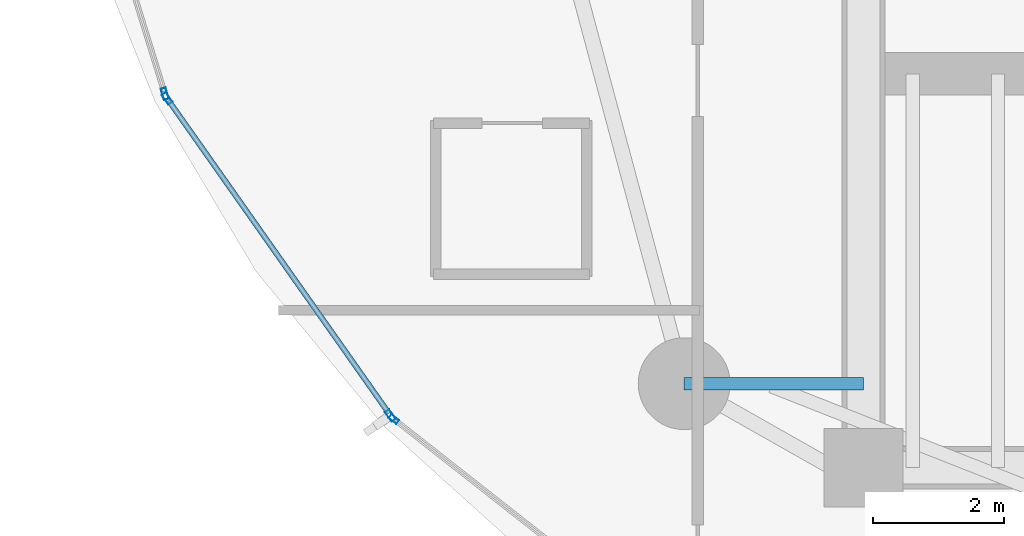
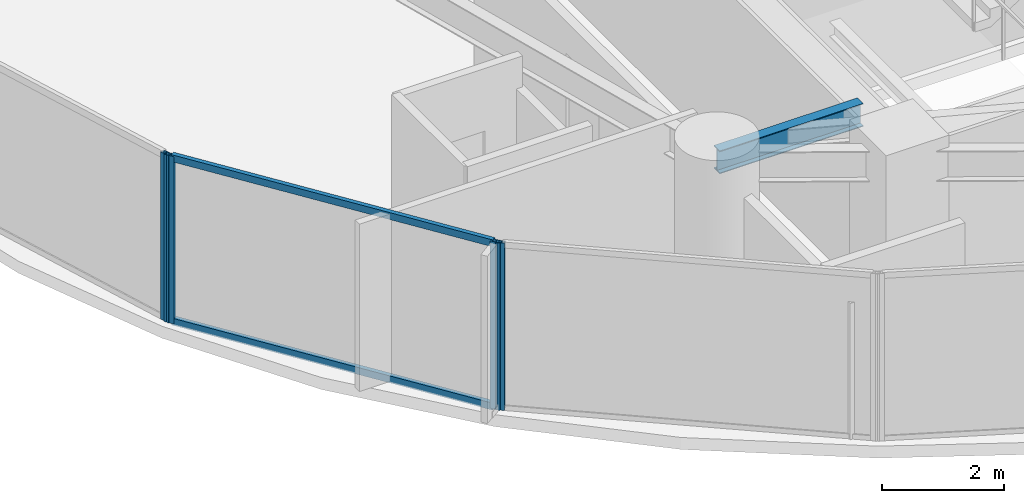
# One storey, part 3 of 33: 6 members, 1 beam, 3 elements without a shape of their own.
"""IFC4 building model written with IfcOpenShell, lengths in metres."""

from ifc_helpers import new_model, si_unit, direction, frame, origin, origin_2d, place, context, subcontext, project, spatial, hollow_rectangle, i_section, extrude, material, layer, layer_set, material_profile, profile_set, type_object, element, aggregate, save


model = new_model("IFC4")

# Units and contexts
model_context = context("Model", 3, precision=1e-05, world=origin(), true_north=direction((0.0, 1.0)))
body_context = subcontext(model_context, "Body", "Model", "MODEL_VIEW")
ifc_project = project(units=[si_unit("LENGTHUNIT", "METRE"), si_unit("AREAUNIT", "SQUARE_METRE"), si_unit("VOLUMEUNIT", "CUBIC_METRE"), si_unit("PLANEANGLEUNIT", "RADIAN"), si_unit("MASSUNIT", "GRAM", prefix="KILO")], contexts=[model_context])

# Site, building, storey
site_placement = place(None, origin())
site = spatial("IfcSite", under=ifc_project, at=site_placement, CompositionType="ELEMENT")
building_placement = place(site_placement, origin())
building = spatial("IfcBuilding", under=site, at=building_placement, Name="Kazevale Care Tower and Concert Hall", CompositionType="ELEMENT")
storey_placement = place(building_placement, frame((0.0, 0.0, 31.199951171875)))
storey = spatial("IfcBuildingStorey", under=building, at=storey_placement, Name="L07", CompositionType="ELEMENT", Elevation=31.199951171875)

# Curtain wall, members
ifc_material_1 = material(Name="Aluminium 6063-T6 and Low-E Glass", Category="aluminium")
ifc_layer_1 = layer(ifc_material_1, 0.179931640625)
ifc_layer_set_1 = layer_set([ifc_layer_1], Name="Aluminium 6063-T6 and Low-E Glass")
curtain_wall_type_1 = type_object("IfcCurtainWallType", Name="Waist & Upper Residential Curtain Wall CW-4", PredefinedType="NOTDEFINED", material=ifc_layer_set_1)
curtain_wall_1_placement = place(storey_placement, origin())
curtain_wall_1 = element("IfcCurtainWall", 1, at=curtain_wall_1_placement, inside=storey, type_object=curtain_wall_type_1, Name="cw:L07:f11", PredefinedType="NOTDEFINED")
ifc_material_2 = material(Name="Aluminium 6063-T6", Category="aluminium")
ifc_material_profile_1 = material_profile(ifc_material_2, hollow_rectangle(XDim=0.080078125, YDim=0.179931640625, WallThickness=0.0048828125, at=origin_2d()), Name="ALU80x180x5")
ifc_profile_set_1 = profile_set([ifc_material_profile_1], Name="Aluminium 6063-T6")
member_type_1 = type_object("IfcMemberType", Name="CW-4 Mullion ALU80x180x5", PredefinedType="MULLION", material=ifc_profile_set_1)
member_1_placement = place(storey_placement, frame((14.794921875, 24.396728515625, 0.0), z_axis=(0.0, 0.0, 1.0), x_axis=(-0.817564654583, -0.575836813322, 0.0)))
member_1 = element("IfcMember", 2, at=member_1_placement, type_object=member_type_1, Name="CW-4 mullion 1", PredefinedType="MULLION", context=body_context, shape_type="SweptSolid", body=[
    extrude(hollow_rectangle(XDim=0.080078125, YDim=0.179931640625, WallThickness=0.0048828125, at=origin_2d()), origin(), (0.0, 0.0, 1.0), 3.360107421875),
])
member_2_placement = place(storey_placement, frame((11.39404296875, 29.225341796875, 0.0), z_axis=(0.0, 0.0, 1.0), x_axis=(-0.817564654583, -0.575836813322, 0.0)))
member_2 = element("IfcMember", 3, at=member_2_placement, type_object=member_type_1, Name="CW-4 mullion 2", PredefinedType="MULLION", context=body_context, shape_type="SweptSolid", body=[
    extrude(hollow_rectangle(XDim=0.080078125, YDim=0.179931640625, WallThickness=0.0048828125, at=origin_2d()), origin(), (0.0, 0.0, 1.0), 3.360107421875),
])

# Curtain wall, member
curtain_wall_2_placement = place(storey_placement, origin())
curtain_wall_2 = element("IfcCurtainWall", 4, at=curtain_wall_2_placement, inside=storey, type_object=curtain_wall_type_1, Name="cw:L07:f12", PredefinedType="NOTDEFINED")
member_3_placement = place(storey_placement, frame((11.359130859375, 29.296142578125, 0.0), z_axis=(0.0, 0.0, 1.0), x_axis=(-0.955157326175, -0.296098771112, 0.0)))
member_3 = element("IfcMember", 5, at=member_3_placement, type_object=member_type_1, Name="CW-4 mullion 1", PredefinedType="MULLION", context=body_context, shape_type="SweptSolid", body=[
    extrude(hollow_rectangle(XDim=0.080078125, YDim=0.179931640625, WallThickness=0.0048828125, at=origin_2d()), origin(), (0.0, 0.0, 1.0), 3.360107421875),
])
aggregate(curtain_wall_2, [member_3])

# Member
ifc_material_profile_2 = material_profile(ifc_material_2, hollow_rectangle(XDim=0.080078125, YDim=0.139892578125, WallThickness=0.00390625, at=origin_2d()), Name="ALU80x140x4")
ifc_profile_set_2 = profile_set([ifc_material_profile_2], Name="Aluminium 6063-T6")
member_type_2 = type_object("IfcMemberType", Name="CW-4 Transom ALU80x140x4", PredefinedType="USERDEFINED", material=ifc_profile_set_2)
member_4_placement = place(storey_placement, frame((14.77197265625, 24.429443359375, 0.0400390625), z_axis=(-0.575850423039, 0.817555068657, 0.0), x_axis=(-0.817555068657, -0.575850423039, 0.0)))
member_4 = element("IfcMember", 6, at=member_4_placement, type_object=member_type_2, Name="CW-4 transom 1.1", ObjectType="TRANSOM", PredefinedType="USERDEFINED", context=body_context, shape_type="SweptSolid", body=[
    extrude(hollow_rectangle(XDim=0.080078125, YDim=0.139892578125, WallThickness=0.00390625, at=origin_2d()), origin(), (0.0, 0.0, 1.0), 5.826171875),
])

member_5_placement = place(storey_placement, frame((14.77197265625, 24.429443359375, 3.320068359375), z_axis=(-0.575850423039, 0.817555068657, 0.0), x_axis=(-0.817555068657, -0.575850423039, 0.0)))
member_5 = element("IfcMember", 7, at=member_5_placement, type_object=member_type_2, Name="CW-4 transom 1.2", ObjectType="TRANSOM", PredefinedType="USERDEFINED", context=body_context, shape_type="SweptSolid", body=[
    extrude(hollow_rectangle(XDim=0.080078125, YDim=0.139892578125, WallThickness=0.00390625, at=origin_2d()), origin(), (0.0, 0.0, 1.0), 5.826171875),
])

aggregate(curtain_wall_1, [member_1, member_2, member_4, member_5])

# Curtain wall, member
ifc_layer_2 = layer(ifc_material_1, 0.179931640625)
ifc_layer_set_2 = layer_set([ifc_layer_2], Name="Aluminium 6063-T6 and Low-E Glass")
curtain_wall_type_2 = type_object("IfcCurtainWallType", Name="Sheltered Concave Balcony Curtain Wall CW-5", PredefinedType="NOTDEFINED", material=ifc_layer_set_2)
curtain_wall_3_placement = place(storey_placement, origin())
curtain_wall_3 = element("IfcCurtainWall", 8, at=curtain_wall_3_placement, inside=storey, type_object=curtain_wall_type_2, Name="cw:L07:f10", PredefinedType="NOTDEFINED")
ifc_material_profile_3 = material_profile(ifc_material_2, hollow_rectangle(XDim=0.074951171875, YDim=0.14990234375, WallThickness=0.00390625, at=origin_2d()), Name="ALU75x150x4")
ifc_profile_set_3 = profile_set([ifc_material_profile_3], Name="Aluminium 6063-T6")
member_type_3 = type_object("IfcMemberType", Name="CW-5 Mullion ALU75x150x4", PredefinedType="MULLION", material=ifc_profile_set_3)
member_6_placement = place(storey_placement, frame((14.847412109375, 24.3408203125, 0.0), z_axis=(0.0, 0.0, 1.0), x_axis=(-0.617807548814, -0.78632934107, 0.0)))
member_6 = element("IfcMember", 9, at=member_6_placement, type_object=member_type_3, Name="CW-5 mullion 2", PredefinedType="MULLION", context=body_context, shape_type="SweptSolid", body=[
    extrude(hollow_rectangle(XDim=0.074951171875, YDim=0.14990234375, WallThickness=0.00390625, at=origin_2d()), origin(), (0.0, 0.0, 1.0), 3.360107421875),
])
aggregate(curtain_wall_3, [member_6])

# Beam
ifc_material_3 = material(Name="Steel ASTM A572 Gr 50", Category="steel")
ifc_material_profile_4 = material_profile(ifc_material_3, i_section(OverallWidth=0.19091796875, OverallDepth=0.4599609375, WebThickness=0.010009765625, FlangeThickness=0.01611328125, at=origin_2d()), Name="W460x82")
ifc_profile_set_4 = profile_set([ifc_material_profile_4], Name="Steel ASTM A572 Gr 50")
beam_type = type_object("IfcBeamType", Name="Radial Floor Beam W460x82", PredefinedType="BEAM", material=ifc_profile_set_4)
beam_placement = place(storey_placement, frame((22.0, 24.8798828125, 3.130126953125), z_axis=(-1.0, 0.0, 0.0), x_axis=(0.0, -1.0, 0.0)))
element("IfcBeam", 10, at=beam_placement, inside=storey, type_object=beam_type, Name="beam:L07:rad:10", PredefinedType="BEAM", context=body_context, shape_type="SweptSolid", body=[
    extrude(i_section(OverallWidth=0.19091796875, OverallDepth=0.4599609375, WebThickness=0.010009765625, FlangeThickness=0.01611328125, at=origin_2d()), origin(), (0.0, 0.0, 1.0), 2.72998046875),
])

save(model, "model.ifc")
